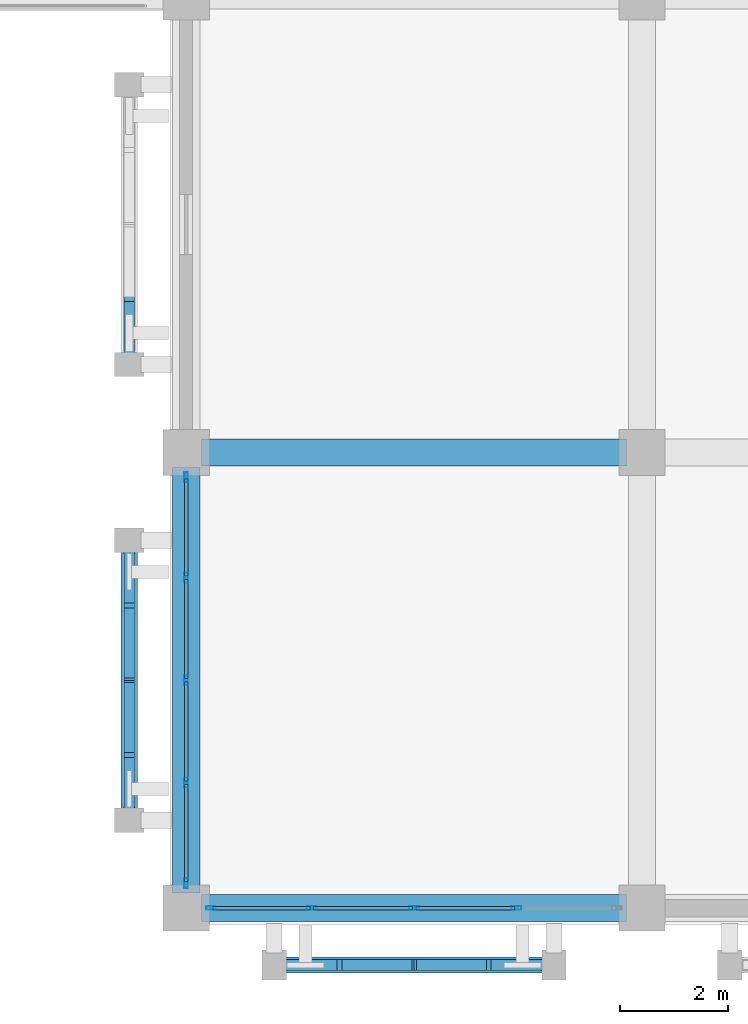
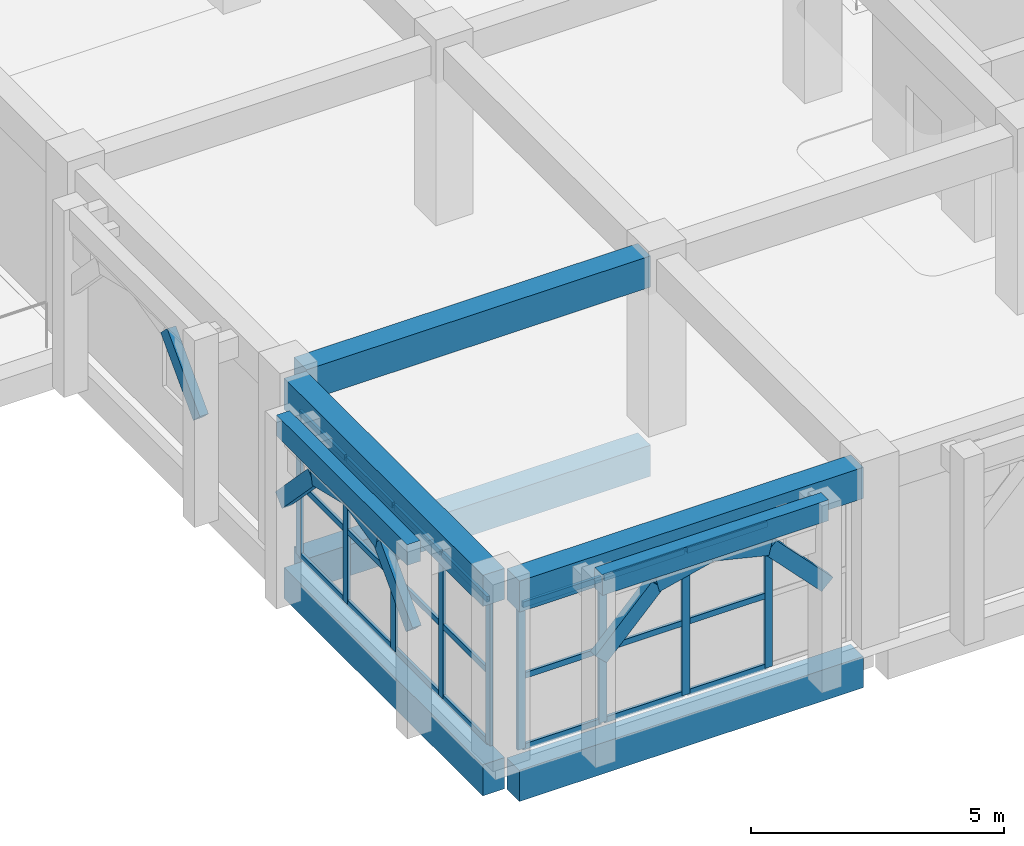
# One storey, part 3 of 129: 39 members, 8 beams, 2 elements without a shape of their own.
"""IFC4 building model written with IfcOpenShell, lengths in metres."""

from ifc_helpers import new_model, si_unit, direction, frame, origin, origin_2d, place, context, subcontext, project, spatial, rectangle, hollow_rectangle, extrude, material, layer, layer_set, material_profile, profile_set, type_object, element, aggregate, save


model = new_model("IFC4")

# Units and contexts
model_context = context("Model", 3, precision=1e-05, world=origin(), true_north=direction((0.0, 1.0)))
body_context = subcontext(model_context, "Body", "Model", "MODEL_VIEW")
ifc_project = project(units=[si_unit("LENGTHUNIT", "METRE"), si_unit("AREAUNIT", "SQUARE_METRE"), si_unit("VOLUMEUNIT", "CUBIC_METRE"), si_unit("PLANEANGLEUNIT", "RADIAN"), si_unit("MASSUNIT", "GRAM", prefix="KILO")], contexts=[model_context])

# Site, building, storey
site_placement = place(None, origin())
site = spatial("IfcSite", under=ifc_project, at=site_placement, CompositionType="ELEMENT")
building_placement = place(site_placement, origin())
building = spatial("IfcBuilding", under=site, at=building_placement, Name="Xazarin Passage Department Store", CompositionType="ELEMENT")
storey_placement = place(building_placement, frame((0.0, 0.0, 9.89990234375)))
storey = spatial("IfcBuildingStorey", under=building, at=storey_placement, Name="L02", CompositionType="ELEMENT", Elevation=9.89990234375)

# Curtain wall, members
ifc_material_1 = material(Name="Bronze anodised aluminium", Category="aluminium")
ifc_layer = layer(ifc_material_1, 0.18994140625)
ifc_layer_set = layer_set([ifc_layer], Name="Bronze anodised aluminium")
curtain_wall_type = type_object("IfcCurtainWallType", Name="ARC-CW-FDH1", PredefinedType="NOTDEFINED", material=ifc_layer_set)
curtain_wall_1_placement = place(storey_placement, origin())
curtain_wall_1 = element("IfcCurtainWall", 1, at=curtain_wall_1_placement, inside=storey, type_object=curtain_wall_type, Name="L02 V3 Curtain Wall 130", PredefinedType="NOTDEFINED")
ifc_material_profile_1 = material_profile(ifc_material_1, hollow_rectangle(XDim=0.06494140625, YDim=0.179931640625, WallThickness=0.00390625, at=origin_2d()), Name="ALU 65x180")
ifc_profile_set_1 = profile_set([ifc_material_profile_1], Name="Bronze anodised aluminium")
member_type_1 = type_object("IfcMemberType", Name="ARC-CWM-65x180", PredefinedType="MULLION", material=ifc_profile_set_1)
member_1_placement = place(storey_placement, frame((8.857421875, 0.0, 0.0), z_axis=(0.0, 0.0, 1.0), x_axis=(0.0, 1.0, 0.0)))
member_1 = element("IfcMember", 2, at=member_1_placement, type_object=member_type_1, Name="CW5 mullion 1", PredefinedType="MULLION", context=body_context, shape_type="SweptSolid", body=[
    extrude(hollow_rectangle(XDim=0.06494140625, YDim=0.179931640625, WallThickness=0.00390625, at=origin_2d()), origin(), (0.0, 0.0, 1.0), 3.489990234375),
])
member_2_placement = place(storey_placement, frame((10.71240234375, 0.0, 0.0), z_axis=(0.0, 0.0, 1.0), x_axis=(0.0, 1.0, 0.0)))
member_2 = element("IfcMember", 3, at=member_2_placement, type_object=member_type_1, Name="CW5 mullion 2", PredefinedType="MULLION", context=body_context, shape_type="SweptSolid", body=[
    extrude(hollow_rectangle(XDim=0.06494140625, YDim=0.179931640625, WallThickness=0.00390625, at=origin_2d()), origin(), (0.0, 0.0, 1.0), 3.489990234375),
])
member_3_placement = place(storey_placement, frame((12.60009765625, 0.0, 0.0), z_axis=(0.0, 0.0, 1.0), x_axis=(0.0, 1.0, 0.0)))
member_3 = element("IfcMember", 4, at=member_3_placement, type_object=member_type_1, Name="CW5 mullion 3", PredefinedType="MULLION", context=body_context, shape_type="SweptSolid", body=[
    extrude(hollow_rectangle(XDim=0.06494140625, YDim=0.179931640625, WallThickness=0.00390625, at=origin_2d()), origin(), (0.0, 0.0, 1.0), 3.489990234375),
])
member_4_placement = place(storey_placement, frame((14.487548828125, 0.0, 0.0), z_axis=(0.0, 0.0, 1.0), x_axis=(0.0, 1.0, 0.0)))
member_4 = element("IfcMember", 5, at=member_4_placement, type_object=member_type_1, Name="CW5 mullion 4", PredefinedType="MULLION", context=body_context, shape_type="SweptSolid", body=[
    extrude(hollow_rectangle(XDim=0.06494140625, YDim=0.179931640625, WallThickness=0.00390625, at=origin_2d()), origin(), (0.0, 0.0, 1.0), 3.489990234375),
])

curtain_wall_2_placement = place(storey_placement, origin())
curtain_wall_2 = element("IfcCurtainWall", 6, at=curtain_wall_2_placement, inside=storey, type_object=curtain_wall_type, Name="L02 V3 Curtain Wall 134", PredefinedType="NOTDEFINED")
member_5_placement = place(storey_placement, frame((8.39990234375, 0.45751953125, 0.0), z_axis=(0.0, 0.0, 1.0), x_axis=(-1.0, 0.0, 0.0)))
member_5 = element("IfcMember", 7, at=member_5_placement, type_object=member_type_1, Name="CW5 mullion 1", PredefinedType="MULLION", context=body_context, shape_type="SweptSolid", body=[
    extrude(hollow_rectangle(XDim=0.06494140625, YDim=0.179931640625, WallThickness=0.00390625, at=origin_2d()), origin(), (0.0, 0.0, 1.0), 3.489990234375),
])
member_6_placement = place(storey_placement, frame((8.39990234375, 2.3125, 0.0), z_axis=(0.0, 0.0, 1.0), x_axis=(-1.0, 0.0, 0.0)))
member_6 = element("IfcMember", 8, at=member_6_placement, type_object=member_type_1, Name="CW5 mullion 2", PredefinedType="MULLION", context=body_context, shape_type="SweptSolid", body=[
    extrude(hollow_rectangle(XDim=0.06494140625, YDim=0.179931640625, WallThickness=0.00390625, at=origin_2d()), origin(), (0.0, 0.0, 1.0), 3.489990234375),
])
member_7_placement = place(storey_placement, frame((8.39990234375, 4.199951171875, 0.0), z_axis=(0.0, 0.0, 1.0), x_axis=(-1.0, 0.0, 0.0)))
member_7 = element("IfcMember", 9, at=member_7_placement, type_object=member_type_1, Name="CW5 mullion 3", PredefinedType="MULLION", context=body_context, shape_type="SweptSolid", body=[
    extrude(hollow_rectangle(XDim=0.06494140625, YDim=0.179931640625, WallThickness=0.00390625, at=origin_2d()), origin(), (0.0, 0.0, 1.0), 3.489990234375),
])
member_8_placement = place(storey_placement, frame((8.39990234375, 6.08740234375, 0.0), z_axis=(0.0, 0.0, 1.0), x_axis=(-1.0, 0.0, 0.0)))
member_8 = element("IfcMember", 10, at=member_8_placement, type_object=member_type_1, Name="CW5 mullion 4", PredefinedType="MULLION", context=body_context, shape_type="SweptSolid", body=[
    extrude(hollow_rectangle(XDim=0.06494140625, YDim=0.179931640625, WallThickness=0.00390625, at=origin_2d()), origin(), (0.0, 0.0, 1.0), 3.489990234375),
])
member_9_placement = place(storey_placement, frame((8.39990234375, 7.9423828125, 0.0), z_axis=(0.0, 0.0, 1.0), x_axis=(-1.0, 0.0, 0.0)))
member_9 = element("IfcMember", 11, at=member_9_placement, type_object=member_type_1, Name="CW5 mullion 5", PredefinedType="MULLION", context=body_context, shape_type="SweptSolid", body=[
    extrude(hollow_rectangle(XDim=0.06494140625, YDim=0.179931640625, WallThickness=0.00390625, at=origin_2d()), origin(), (0.0, 0.0, 1.0), 3.489990234375),
])

# Member
ifc_material_profile_2 = material_profile(ifc_material_1, hollow_rectangle(XDim=0.06494140625, YDim=0.139892578125, WallThickness=0.00390625, at=origin_2d()), Name="ALU 65x140")
ifc_profile_set_2 = profile_set([ifc_material_profile_2], Name="Bronze anodised aluminium")
member_type_2 = type_object("IfcMemberType", Name="ARC-CWT-65x140", PredefinedType="USERDEFINED", material=ifc_profile_set_2)
member_10_placement = place(storey_placement, frame((8.889892578125, 0.0, 0.03271484375), z_axis=(1.0, 0.0, 0.0), x_axis=(0.0, 1.0, 0.0)))
member_10 = element("IfcMember", 12, at=member_10_placement, type_object=member_type_2, Name="CW5 transom 1.1", ObjectType="TRANSOM", PredefinedType="USERDEFINED", context=body_context, shape_type="SweptSolid", body=[
    extrude(hollow_rectangle(XDim=0.06494140625, YDim=0.139892578125, WallThickness=0.00390625, at=origin_2d()), origin(), (0.0, 0.0, 1.0), 1.7900390625),
])

member_11_placement = place(storey_placement, frame((8.889892578125, 0.0, 1.7451171875), z_axis=(1.0, 0.0, 0.0), x_axis=(0.0, 1.0, 0.0)))
member_11 = element("IfcMember", 13, at=member_11_placement, type_object=member_type_2, Name="CW5 transom 1.2", ObjectType="TRANSOM", PredefinedType="USERDEFINED", context=body_context, shape_type="SweptSolid", body=[
    extrude(hollow_rectangle(XDim=0.06494140625, YDim=0.139892578125, WallThickness=0.00390625, at=origin_2d()), origin(), (0.0, 0.0, 1.0), 1.7900390625),
])

member_12_placement = place(storey_placement, frame((8.889892578125, 0.0, 3.45751953125), z_axis=(1.0, 0.0, 0.0), x_axis=(0.0, 1.0, 0.0)))
member_12 = element("IfcMember", 14, at=member_12_placement, type_object=member_type_2, Name="CW5 transom 1.3", ObjectType="TRANSOM", PredefinedType="USERDEFINED", context=body_context, shape_type="SweptSolid", body=[
    extrude(hollow_rectangle(XDim=0.06494140625, YDim=0.139892578125, WallThickness=0.00390625, at=origin_2d()), origin(), (0.0, 0.0, 1.0), 1.7900390625),
])

member_13_placement = place(storey_placement, frame((10.7451171875, 0.0, 0.03271484375), z_axis=(1.0, 0.0, 0.0), x_axis=(0.0, 1.0, 0.0)))
member_13 = element("IfcMember", 15, at=member_13_placement, type_object=member_type_2, Name="CW5 transom 2.1", ObjectType="TRANSOM", PredefinedType="USERDEFINED", context=body_context, shape_type="SweptSolid", body=[
    extrude(hollow_rectangle(XDim=0.06494140625, YDim=0.139892578125, WallThickness=0.00390625, at=origin_2d()), origin(), (0.0, 0.0, 1.0), 1.822265625),
])

member_14_placement = place(storey_placement, frame((10.7451171875, 0.0, 1.7451171875), z_axis=(1.0, 0.0, 0.0), x_axis=(0.0, 1.0, 0.0)))
member_14 = element("IfcMember", 16, at=member_14_placement, type_object=member_type_2, Name="CW5 transom 2.2", ObjectType="TRANSOM", PredefinedType="USERDEFINED", context=body_context, shape_type="SweptSolid", body=[
    extrude(hollow_rectangle(XDim=0.06494140625, YDim=0.139892578125, WallThickness=0.00390625, at=origin_2d()), origin(), (0.0, 0.0, 1.0), 1.822265625),
])

member_15_placement = place(storey_placement, frame((10.7451171875, 0.0, 3.45751953125), z_axis=(1.0, 0.0, 0.0), x_axis=(0.0, 1.0, 0.0)))
member_15 = element("IfcMember", 17, at=member_15_placement, type_object=member_type_2, Name="CW5 transom 2.3", ObjectType="TRANSOM", PredefinedType="USERDEFINED", context=body_context, shape_type="SweptSolid", body=[
    extrude(hollow_rectangle(XDim=0.06494140625, YDim=0.139892578125, WallThickness=0.00390625, at=origin_2d()), origin(), (0.0, 0.0, 1.0), 1.822265625),
])

member_16_placement = place(storey_placement, frame((12.632568359375, 0.0, 0.03271484375), z_axis=(1.0, 0.0, 0.0), x_axis=(0.0, 1.0, 0.0)))
member_16 = element("IfcMember", 18, at=member_16_placement, type_object=member_type_2, Name="CW5 transom 3.1", ObjectType="TRANSOM", PredefinedType="USERDEFINED", context=body_context, shape_type="SweptSolid", body=[
    extrude(hollow_rectangle(XDim=0.06494140625, YDim=0.139892578125, WallThickness=0.00390625, at=origin_2d()), origin(), (0.0, 0.0, 1.0), 1.822509765625),
])

member_17_placement = place(storey_placement, frame((12.632568359375, 0.0, 1.7451171875), z_axis=(1.0, 0.0, 0.0), x_axis=(0.0, 1.0, 0.0)))
member_17 = element("IfcMember", 19, at=member_17_placement, type_object=member_type_2, Name="CW5 transom 3.2", ObjectType="TRANSOM", PredefinedType="USERDEFINED", context=body_context, shape_type="SweptSolid", body=[
    extrude(hollow_rectangle(XDim=0.06494140625, YDim=0.139892578125, WallThickness=0.00390625, at=origin_2d()), origin(), (0.0, 0.0, 1.0), 1.822509765625),
])

member_18_placement = place(storey_placement, frame((12.632568359375, 0.0, 3.45751953125), z_axis=(1.0, 0.0, 0.0), x_axis=(0.0, 1.0, 0.0)))
member_18 = element("IfcMember", 20, at=member_18_placement, type_object=member_type_2, Name="CW5 transom 3.3", ObjectType="TRANSOM", PredefinedType="USERDEFINED", context=body_context, shape_type="SweptSolid", body=[
    extrude(hollow_rectangle(XDim=0.06494140625, YDim=0.139892578125, WallThickness=0.00390625, at=origin_2d()), origin(), (0.0, 0.0, 1.0), 1.822509765625),
])

aggregate(curtain_wall_1, [member_1, member_2, member_3, member_4, member_10, member_11, member_12, member_13, member_14, member_15, member_16, member_17, member_18])

member_19_placement = place(storey_placement, frame((8.39990234375, 0.489990234375, 0.03271484375), z_axis=(0.0, 1.0, 0.0), x_axis=(-1.0, 0.0, 0.0)))
member_19 = element("IfcMember", 21, at=member_19_placement, type_object=member_type_2, Name="CW5 transom 1.1", ObjectType="TRANSOM", PredefinedType="USERDEFINED", context=body_context, shape_type="SweptSolid", body=[
    extrude(hollow_rectangle(XDim=0.06494140625, YDim=0.139892578125, WallThickness=0.00390625, at=origin_2d()), origin(), (0.0, 0.0, 1.0), 1.7900390625),
])

member_20_placement = place(storey_placement, frame((8.39990234375, 0.489990234375, 1.7451171875), z_axis=(0.0, 1.0, 0.0), x_axis=(-1.0, 0.0, 0.0)))
member_20 = element("IfcMember", 22, at=member_20_placement, type_object=member_type_2, Name="CW5 transom 1.2", ObjectType="TRANSOM", PredefinedType="USERDEFINED", context=body_context, shape_type="SweptSolid", body=[
    extrude(hollow_rectangle(XDim=0.06494140625, YDim=0.139892578125, WallThickness=0.00390625, at=origin_2d()), origin(), (0.0, 0.0, 1.0), 1.7900390625),
])

member_21_placement = place(storey_placement, frame((8.39990234375, 0.489990234375, 3.45751953125), z_axis=(0.0, 1.0, 0.0), x_axis=(-1.0, 0.0, 0.0)))
member_21 = element("IfcMember", 23, at=member_21_placement, type_object=member_type_2, Name="CW5 transom 1.3", ObjectType="TRANSOM", PredefinedType="USERDEFINED", context=body_context, shape_type="SweptSolid", body=[
    extrude(hollow_rectangle(XDim=0.06494140625, YDim=0.139892578125, WallThickness=0.00390625, at=origin_2d()), origin(), (0.0, 0.0, 1.0), 1.7900390625),
])

member_22_placement = place(storey_placement, frame((8.39990234375, 2.344970703125, 0.03271484375), z_axis=(0.0, 1.0, 0.0), x_axis=(-1.0, 0.0, 0.0)))
member_22 = element("IfcMember", 24, at=member_22_placement, type_object=member_type_2, Name="CW5 transom 2.1", ObjectType="TRANSOM", PredefinedType="USERDEFINED", context=body_context, shape_type="SweptSolid", body=[
    extrude(hollow_rectangle(XDim=0.06494140625, YDim=0.139892578125, WallThickness=0.00390625, at=origin_2d()), origin(), (0.0, 0.0, 1.0), 1.822509765625),
])

member_23_placement = place(storey_placement, frame((8.39990234375, 2.344970703125, 1.7451171875), z_axis=(0.0, 1.0, 0.0), x_axis=(-1.0, 0.0, 0.0)))
member_23 = element("IfcMember", 25, at=member_23_placement, type_object=member_type_2, Name="CW5 transom 2.2", ObjectType="TRANSOM", PredefinedType="USERDEFINED", context=body_context, shape_type="SweptSolid", body=[
    extrude(hollow_rectangle(XDim=0.06494140625, YDim=0.139892578125, WallThickness=0.00390625, at=origin_2d()), origin(), (0.0, 0.0, 1.0), 1.822509765625),
])

member_24_placement = place(storey_placement, frame((8.39990234375, 2.344970703125, 3.45751953125), z_axis=(0.0, 1.0, 0.0), x_axis=(-1.0, 0.0, 0.0)))
member_24 = element("IfcMember", 26, at=member_24_placement, type_object=member_type_2, Name="CW5 transom 2.3", ObjectType="TRANSOM", PredefinedType="USERDEFINED", context=body_context, shape_type="SweptSolid", body=[
    extrude(hollow_rectangle(XDim=0.06494140625, YDim=0.139892578125, WallThickness=0.00390625, at=origin_2d()), origin(), (0.0, 0.0, 1.0), 1.822509765625),
])

member_25_placement = place(storey_placement, frame((8.39990234375, 4.232421875, 0.03271484375), z_axis=(0.0, 1.0, 0.0), x_axis=(-1.0, 0.0, 0.0)))
member_25 = element("IfcMember", 27, at=member_25_placement, type_object=member_type_2, Name="CW5 transom 3.1", ObjectType="TRANSOM", PredefinedType="USERDEFINED", context=body_context, shape_type="SweptSolid", body=[
    extrude(hollow_rectangle(XDim=0.06494140625, YDim=0.139892578125, WallThickness=0.00390625, at=origin_2d()), origin(), (0.0, 0.0, 1.0), 1.822509765625),
])

member_26_placement = place(storey_placement, frame((8.39990234375, 4.232421875, 1.7451171875), z_axis=(0.0, 1.0, 0.0), x_axis=(-1.0, 0.0, 0.0)))
member_26 = element("IfcMember", 28, at=member_26_placement, type_object=member_type_2, Name="CW5 transom 3.2", ObjectType="TRANSOM", PredefinedType="USERDEFINED", context=body_context, shape_type="SweptSolid", body=[
    extrude(hollow_rectangle(XDim=0.06494140625, YDim=0.139892578125, WallThickness=0.00390625, at=origin_2d()), origin(), (0.0, 0.0, 1.0), 1.822509765625),
])

member_27_placement = place(storey_placement, frame((8.39990234375, 4.232421875, 3.45751953125), z_axis=(0.0, 1.0, 0.0), x_axis=(-1.0, 0.0, 0.0)))
member_27 = element("IfcMember", 29, at=member_27_placement, type_object=member_type_2, Name="CW5 transom 3.3", ObjectType="TRANSOM", PredefinedType="USERDEFINED", context=body_context, shape_type="SweptSolid", body=[
    extrude(hollow_rectangle(XDim=0.06494140625, YDim=0.139892578125, WallThickness=0.00390625, at=origin_2d()), origin(), (0.0, 0.0, 1.0), 1.822509765625),
])

member_28_placement = place(storey_placement, frame((8.39990234375, 6.1201171875, 0.03271484375), z_axis=(0.0, 1.0, 0.0), x_axis=(-1.0, 0.0, 0.0)))
member_28 = element("IfcMember", 30, at=member_28_placement, type_object=member_type_2, Name="CW5 transom 4.1", ObjectType="TRANSOM", PredefinedType="USERDEFINED", context=body_context, shape_type="SweptSolid", body=[
    extrude(hollow_rectangle(XDim=0.06494140625, YDim=0.139892578125, WallThickness=0.00390625, at=origin_2d()), origin(), (0.0, 0.0, 1.0), 1.789794921875),
])

member_29_placement = place(storey_placement, frame((8.39990234375, 6.1201171875, 1.7451171875), z_axis=(0.0, 1.0, 0.0), x_axis=(-1.0, 0.0, 0.0)))
member_29 = element("IfcMember", 31, at=member_29_placement, type_object=member_type_2, Name="CW5 transom 4.2", ObjectType="TRANSOM", PredefinedType="USERDEFINED", context=body_context, shape_type="SweptSolid", body=[
    extrude(hollow_rectangle(XDim=0.06494140625, YDim=0.139892578125, WallThickness=0.00390625, at=origin_2d()), origin(), (0.0, 0.0, 1.0), 1.789794921875),
])

member_30_placement = place(storey_placement, frame((8.39990234375, 6.1201171875, 3.45751953125), z_axis=(0.0, 1.0, 0.0), x_axis=(-1.0, 0.0, 0.0)))
member_30 = element("IfcMember", 32, at=member_30_placement, type_object=member_type_2, Name="CW5 transom 4.3", ObjectType="TRANSOM", PredefinedType="USERDEFINED", context=body_context, shape_type="SweptSolid", body=[
    extrude(hollow_rectangle(XDim=0.06494140625, YDim=0.139892578125, WallThickness=0.00390625, at=origin_2d()), origin(), (0.0, 0.0, 1.0), 1.789794921875),
])

aggregate(curtain_wall_2, [member_5, member_6, member_7, member_8, member_9, member_19, member_20, member_21, member_22, member_23, member_24, member_25, member_26, member_27, member_28, member_29, member_30])

# Beams
ifc_material_2 = material(Name="Concrete C35/45", Category="concrete")
ifc_material_profile_3 = material_profile(ifc_material_2, rectangle(XDim=0.300048828125, YDim=0.5, at=origin_2d()), Name="RC 300x500")
ifc_profile_set_3 = profile_set([ifc_material_profile_3], Name="Concrete C35/45")
beam_type_1 = type_object("IfcBeamType", Name="STR-BM-LN300x500", PredefinedType="LINTEL", material=ifc_profile_set_3)
for number, where, z_axis, x_axis, name in (
    (33, (10.02001953125, -1.050048828125, 4.25), (1.0, 0.0, 0.0), (0.0, 1.0, 0.0), "L02 V3 Colonnade Spandrel Beam 027"),
    (34, (7.35009765625, 1.6201171875, 4.25), (0.0, 1.0, 0.0), (-1.0, 0.0, 0.0), "L02 V3 Colonnade Spandrel Beam 038"),
):
    element("IfcBeam", number, at=place(storey_placement, frame(where, z_axis=z_axis, x_axis=x_axis)), inside=storey, type_object=beam_type_1, Name=name, PredefinedType="LINTEL", context=body_context, shape_type="SweptSolid", body=[
        extrude(rectangle(XDim=0.300048828125, YDim=0.5, at=origin_2d()), origin(), (0.0, 0.0, 1.0), 5.159912109375),
    ])
ifc_material_profile_4 = material_profile(ifc_material_2, rectangle(XDim=0.5, YDim=0.75, at=origin_2d()), Name="RC 500x750")
ifc_profile_set_4 = profile_set([ifc_material_profile_4], Name="Concrete C35/45")
beam_type_2 = type_object("IfcBeamType", Name="STR-BM-SP500x750", PredefinedType="SPANDREL", material=ifc_profile_set_4)
for number, where, z_axis, x_axis, name in (
    (35, (8.679931640625, 0.0, -0.69482421875), (1.0, 0.0, 0.0), (0.0, 1.0, 0.0), "L02 Grid Beam A/2-3"),
    (36, (8.679931640625, 8.39990234375, -0.69482421875), (1.0, 0.0, 0.0), (0.0, 1.0, 0.0), "L02 Grid Beam B/2-3"),
    (37, (8.39990234375, 0.280029296875, -0.69482421875), (0.0, 1.0, 0.0), (-1.0, 0.0, 0.0), "L02 Grid Beam 2/A-B"),
    (38, (8.679931640625, 0.0, 3.864990234375), (1.0, 0.0, 0.0), (0.0, 1.0, 0.0), "L02 Grid Beam A/2-3"),
    (39, (8.679931640625, 8.39990234375, 3.864990234375), (1.0, 0.0, 0.0), (0.0, 1.0, 0.0), "L02 Grid Beam B/2-3"),
    (40, (8.39990234375, 0.280029296875, 3.864990234375), (0.0, 1.0, 0.0), (-1.0, 0.0, 0.0), "L02 Grid Beam 2/A-B"),
):
    element("IfcBeam", number, at=place(storey_placement, frame(where, z_axis=z_axis, x_axis=x_axis)), inside=storey, type_object=beam_type_2, Name=name, PredefinedType="SPANDREL", context=body_context, shape_type="SweptSolid", body=[
        extrude(rectangle(XDim=0.5, YDim=0.75, at=origin_2d()), origin(), (0.0, 0.0, 1.0), 7.840087890625),
    ])

# Members
ifc_material_3 = material(Name="Concrete C40/50", Category="concrete")
ifc_material_profile_5 = material_profile(ifc_material_3, rectangle(XDim=0.199951171875, YDim=0.360107421875, at=origin_2d()), Name="RC 200x360")
ifc_profile_set_5 = profile_set([ifc_material_profile_5], Name="Concrete C40/50")
member_type_3 = type_object("IfcMemberType", Name="STR-MEM-ARC360", PredefinedType="CHORD", material=ifc_profile_set_5)
member_31_placement = place(storey_placement, frame((10.02001953125, -1.050048828125, 2.43017578125), z_axis=(0.693460080602, 0.0, 0.720495049679), x_axis=(0.0, 1.0, 0.0)))
element("IfcMember", 41, at=member_31_placement, inside=storey, type_object=member_type_3, Name="L02 V3 Pierced Lattice Curved Arch 027.1", PredefinedType="CHORD", context=body_context, shape_type="SweptSolid", body=[
    extrude(rectangle(XDim=0.199951171875, YDim=0.360107421875, at=origin_2d()), origin(), (0.0, 0.0, 1.0), 1.8603515625),
])
member_32_placement = place(storey_placement, frame((11.31005859375, -1.050048828125, 3.7705078125), z_axis=(0.972393983317, 0.0, 0.233345111818), x_axis=(0.0, 1.0, 0.0)))
element("IfcMember", 42, at=member_32_placement, inside=storey, type_object=member_type_3, Name="L02 V3 Pierced Lattice Curved Arch 027.2", PredefinedType="CHORD", context=body_context, shape_type="SweptSolid", body=[
    extrude(rectangle(XDim=0.199951171875, YDim=0.360107421875, at=origin_2d()), origin(), (0.0, 0.0, 1.0), 1.32666015625),
])
member_33_placement = place(storey_placement, frame((12.60009765625, -1.050048828125, 4.080078125), z_axis=(0.972383960415, 0.0, -0.233386875224), x_axis=(0.0, 1.0, 0.0)))
element("IfcMember", 43, at=member_33_placement, inside=storey, type_object=member_type_3, Name="L02 V3 Pierced Lattice Curved Arch 027.3", PredefinedType="CHORD", context=body_context, shape_type="SweptSolid", body=[
    extrude(rectangle(XDim=0.199951171875, YDim=0.360107421875, at=origin_2d()), origin(), (0.0, 0.0, 1.0), 1.326416015625),
])
member_34_placement = place(storey_placement, frame((13.889892578125, -1.050048828125, 3.7705078125), z_axis=(0.693460080602, 0.0, -0.720495049679), x_axis=(0.0, 1.0, 0.0)))
element("IfcMember", 44, at=member_34_placement, inside=storey, type_object=member_type_3, Name="L02 V3 Pierced Lattice Curved Arch 027.4", PredefinedType="CHORD", context=body_context, shape_type="SweptSolid", body=[
    extrude(rectangle(XDim=0.199951171875, YDim=0.360107421875, at=origin_2d()), origin(), (0.0, 0.0, 1.0), 1.8603515625),
])
member_35_placement = place(storey_placement, frame((7.35009765625, 1.6201171875, 2.43017578125), z_axis=(0.0, 0.693391944082, 0.720560623322), x_axis=(-1.0, 0.0, 0.0)))
element("IfcMember", 45, at=member_35_placement, inside=storey, type_object=member_type_3, Name="L02 V3 Pierced Lattice Curved Arch 038.1", PredefinedType="CHORD", context=body_context, shape_type="SweptSolid", body=[
    extrude(rectangle(XDim=0.199951171875, YDim=0.360107421875, at=origin_2d()), origin(), (0.0, 0.0, 1.0), 1.860107421875),
])
for number, where, z_axis, x_axis, name in (
    (46, (7.35009765625, 2.909912109375, 3.7705078125), (0.0, 0.972393983317, 0.233345111818), (-1.0, 0.0, 0.0), "L02 V3 Pierced Lattice Curved Arch 038.2"),
    (47, (7.35009765625, 4.199951171875, 4.080078125), (0.0, 0.972393983317, -0.233345111818), (-1.0, 0.0, 0.0), "L02 V3 Pierced Lattice Curved Arch 038.3"),
):
    element("IfcMember", number, at=place(storey_placement, frame(where, z_axis=z_axis, x_axis=x_axis)), inside=storey, type_object=member_type_3, Name=name, PredefinedType="CHORD", context=body_context, shape_type="SweptSolid", body=[
        extrude(rectangle(XDim=0.199951171875, YDim=0.360107421875, at=origin_2d()), origin(), (0.0, 0.0, 1.0), 1.32666015625),
    ])
for number, where, z_axis, x_axis, name in (
    (48, (7.35009765625, 5.489990234375, 3.7705078125), (0.0, 0.693460080602, -0.720495049679), (-1.0, 0.0, 0.0), "L02 V3 Pierced Lattice Curved Arch 038.4"),
    (49, (7.35009765625, 10.02001953125, 2.43017578125), (0.0, 0.693460080602, 0.720495049679), (-1.0, 0.0, 0.0), "L02 V3 Pierced Lattice Curved Arch 039.1"),
):
    element("IfcMember", number, at=place(storey_placement, frame(where, z_axis=z_axis, x_axis=x_axis)), inside=storey, type_object=member_type_3, Name=name, PredefinedType="CHORD", context=body_context, shape_type="SweptSolid", body=[
        extrude(rectangle(XDim=0.199951171875, YDim=0.360107421875, at=origin_2d()), origin(), (0.0, 0.0, 1.0), 1.8603515625),
    ])

save(model, "model.ifc")
